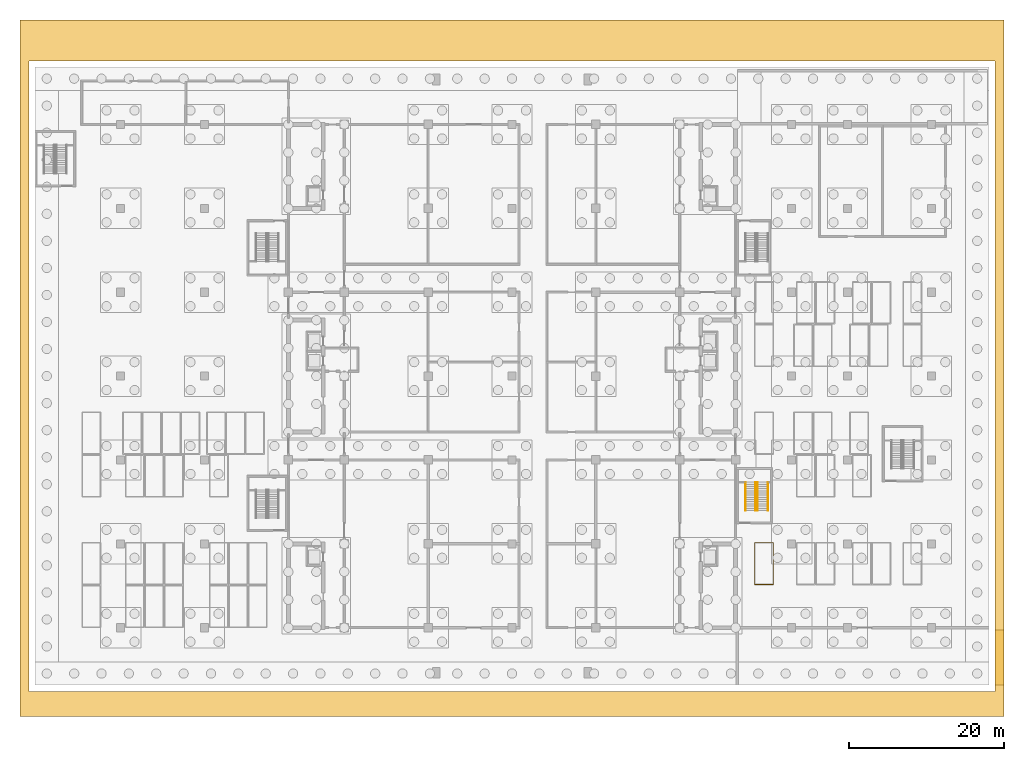
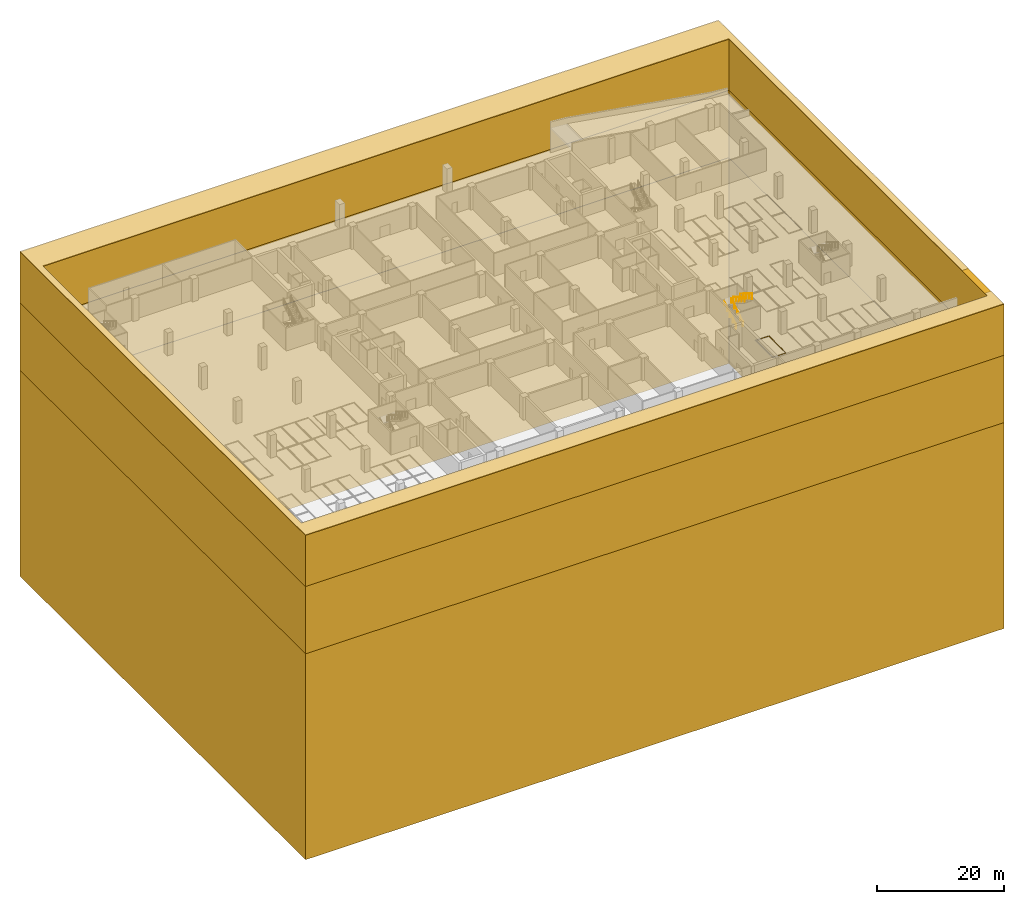
# One storey, part 14 of 18: 5 coverings, 4 railings.
"""IFC4 building model written with IfcOpenShell, lengths in metres."""

from ifc_helpers import new_model, si_unit, direction, frame, origin, origin_2d, place, context, subcontext, project, spatial, polyline, circle, outline, extrude, material, layer, layer_set, type_object, element, save


model = new_model("IFC4")

# Units and contexts
model_context = context("Model", 3, precision=1e-05, world=origin(), true_north=direction((0.0, 1.0)))
body_context = subcontext(model_context, "Body", "Model", "MODEL_VIEW")
ifc_project = project(units=[si_unit("LENGTHUNIT", "METRE"), si_unit("AREAUNIT", "SQUARE_METRE"), si_unit("VOLUMEUNIT", "CUBIC_METRE"), si_unit("PLANEANGLEUNIT", "RADIAN"), si_unit("MASSUNIT", "GRAM", prefix="KILO")], contexts=[model_context])

# Site, building, storey
site_placement = place(None, origin())
site = spatial("IfcSite", under=ifc_project, at=site_placement, CompositionType="ELEMENT")
building_placement = place(site_placement, origin())
building = spatial("IfcBuilding", under=site, at=building_placement, Name="Basin Gate Institute", CompositionType="ELEMENT")
storey_placement = place(building_placement, frame((0.0, 0.0, -9.60009765625)))
storey = spatial("IfcBuildingStorey", under=building, at=storey_placement, Name="B2", CompositionType="ELEMENT", Elevation=-9.60009765625)

# Coverings
ifc_material_1 = material(Name="Road marking paint, white")
ifc_layer = layer(ifc_material_1, 0.010009765625)
ifc_layer_set = layer_set([ifc_layer], Name="Parking bay marking PM1")
covering_type_1 = type_object("IfcCoveringType", Name="Parking bay marking PM1", PredefinedType="FLOORING", material=ifc_layer_set)
covering_1_placement = place(storey_placement, origin())
element("IfcCovering", 1, at=covering_1_placement, inside=storey, type_object=covering_type_1, material=ifc_layer_set, Name="Parking bay marking B2-03 28", PredefinedType="FLOORING", context=body_context, shape_type="SweptSolid", body=[
    extrude(outline(polyline([(121.219970703125, 40.6201171875), (123.679931640625, 40.6201171875), (123.679931640625, 46.080078125), (121.219970703125, 46.080078125), (121.219970703125, 40.6201171875)]), holes=[polyline([(121.320068359375, 40.719970703125), (123.580078125, 40.719970703125), (123.580078125, 45.97998046875), (121.320068359375, 45.97998046875), (121.320068359375, 40.719970703125)])]), origin(), (0.0, 0.0, 1.0), 0.010009765625),
])
ifc_material_2 = material(Name="Natural soil (Taipei basin silty clay and sand)")
covering_type_2 = type_object("IfcCoveringType", Name="Site ground (natural soil) NS1", PredefinedType="USERDEFINED", material=ifc_material_2)
covering_2_placement = place(storey_placement, frame((0.0, 0.0, -52.89990234375)))
element("IfcCovering", 2, at=covering_2_placement, inside=storey, type_object=covering_type_2, material=ifc_material_2, Name="Site ground (natural soil) course 1", ObjectType="SITE GROUND", PredefinedType="USERDEFINED", context=body_context, shape_type="SweptSolid", body=[
    extrude(outline(polyline([(26.64990234375, 23.64990234375), (26.64990234375, 113.35009765625), (153.35009765625, 113.35009765625), (153.35009765625, 23.64990234375), (26.64990234375, 23.64990234375)]), holes=[polyline([(152.199951171875, 108.10009765625), (27.800048828125, 108.10009765625), (27.800048828125, 26.89990234375), (152.199951171875, 26.89990234375), (152.199951171875, 108.10009765625)])]), origin(), (0.0, 0.0, 1.0), 39.5),
])
covering_3_placement = place(storey_placement, frame((0.0, 0.0, -13.39990234375)))
element("IfcCovering", 3, at=covering_3_placement, inside=storey, type_object=covering_type_2, material=ifc_material_2, Name="Site ground (natural soil) course 2", ObjectType="SITE GROUND", PredefinedType="USERDEFINED", context=body_context, shape_type="SweptSolid", body=[
    extrude(outline(polyline([(26.64990234375, 23.64990234375), (26.64990234375, 113.35009765625), (153.35009765625, 113.35009765625), (153.35009765625, 23.64990234375), (26.64990234375, 23.64990234375)]), holes=[polyline([(152.199951171875, 108.10009765625), (27.800048828125, 108.10009765625), (27.800048828125, 26.89990234375), (152.199951171875, 26.89990234375), (152.199951171875, 108.10009765625)])]), origin(), (0.0, 0.0, 1.0), 12.89990234375),
])
covering_4_placement = place(storey_placement, frame((0.0, 0.0, -0.5)))
element("IfcCovering", 4, at=covering_4_placement, inside=storey, type_object=covering_type_2, material=ifc_material_2, Name="Site ground (natural soil) course 3", ObjectType="SITE GROUND", PredefinedType="USERDEFINED", context=body_context, shape_type="SweptSolid", body=[
    extrude(outline(polyline([(26.64990234375, 23.64990234375), (26.64990234375, 113.35009765625), (153.35009765625, 113.35009765625), (153.35009765625, 23.64990234375), (26.64990234375, 23.64990234375)]), holes=[polyline([(152.199951171875, 108.10009765625), (27.800048828125, 108.10009765625), (27.800048828125, 26.89990234375), (152.199951171875, 26.89990234375), (152.199951171875, 108.10009765625)])]), origin(), (0.0, 0.0, 1.0), 9.800048828125),
])
covering_5_placement = place(storey_placement, frame((0.0, 0.0, 9.300048828125)))
element("IfcCovering", 5, at=covering_5_placement, inside=storey, type_object=covering_type_2, material=ifc_material_2, Name="Site ground (natural soil) course 4", ObjectType="SITE GROUND", PredefinedType="USERDEFINED", context=body_context, shape_type="SweptSolid", body=[
    extrude(outline(polyline([(26.64990234375, 113.35009765625), (153.35009765625, 113.35009765625), (153.35009765625, 34.800048828125), (152.199951171875, 34.800048828125), (152.199951171875, 108.10009765625), (27.800048828125, 108.10009765625), (27.800048828125, 26.89990234375), (152.199951171875, 26.89990234375), (152.199951171875, 27.699951171875), (153.35009765625, 27.699951171875), (153.35009765625, 23.64990234375), (26.64990234375, 23.64990234375), (26.64990234375, 113.35009765625)])), origin(), (0.0, 0.0, 1.0), 0.10009765625),
])

# Railings
ifc_material_3 = material(Name="Stainless steel", Category="steel")
railing_type_1 = type_object("IfcRailingType", Name="Stair guard GR1", PredefinedType="GUARDRAIL", material=ifc_material_3)
railing_1_placement = place(storey_placement, frame((122.949951171875, 53.840087890625, 2.571533203125)))
element("IfcRailing", 6, at=railing_1_placement, inside=storey, type_object=railing_type_1, material=ifc_material_3, Name="Stair guard GR1 BS3 GD1", PredefinedType="GUARDRAIL", context=body_context, shape_type="SweptSolid", body=[
    extrude(circle(Radius=0.02392578125, at=origin_2d()), frame((0.0, 0.0, 1.076171875), z_axis=(0.0, -0.852865859571, 0.52213008492), x_axis=(1.0, 0.0, 0.0)), (0.0, 0.0, 1.0), 4.26806640625),
    extrude(circle(Radius=0.02099609375, at=origin_2d()), origin(), (0.0, 0.0, 1.0), 1.052001953125),
    extrude(circle(Radius=0.02099609375, at=origin_2d()), frame((0.0, -0.91015625, 0.55712890625)), (0.0, 0.0, 1.0), 1.052001953125),
    extrude(circle(Radius=0.02099609375, at=origin_2d()), frame((0.0, -1.820068359375, 1.1142578125)), (0.0, 0.0, 1.0), 1.052001953125),
    extrude(circle(Radius=0.02099609375, at=origin_2d()), frame((0.0, -2.72998046875, 1.67138671875)), (0.0, 0.0, 1.0), 1.052001953125),
    extrude(circle(Radius=0.02099609375, at=origin_2d()), frame((0.0, -3.64013671875, 2.228515625)), (0.0, 0.0, 1.0), 1.052001953125),
])
ifc_material_4 = material(Name="Stainless steel", Category="steel")
railing_type_2 = type_object("IfcRailingType", Name="Stair handrail HR1", PredefinedType="HANDRAIL", material=ifc_material_4)
for number, where, name in (
    (7, (120.050048828125, 50.199951171875, 0.171630859375), "Stair handrail HR1 BS3 HR1"),
    (8, (121.35009765625, 50.199951171875, 0.171630859375), "Stair handrail HR1 BS3 HR2"),
):
    element("IfcRailing", number, at=place(storey_placement, frame(where)), inside=storey, type_object=railing_type_2, material=ifc_material_4, Name=name, PredefinedType="HANDRAIL", context=body_context, shape_type="SweptSolid", body=[
        extrude(circle(Radius=0.02392578125, at=origin_2d()), frame((0.0, 0.0, 0.89599609375), z_axis=(0.0, 0.852865859571, 0.52213008492), x_axis=(-1.0, 0.0, 0.0)), (0.0, 0.0, 1.0), 4.26806640625),
        extrude(circle(Radius=0.02099609375, at=origin_2d()), origin(), (0.0, 0.0, 1.0), 0.871826171875),
        extrude(circle(Radius=0.02099609375, at=origin_2d()), frame((0.0, 0.91015625, 0.55712890625)), (0.0, 0.0, 1.0), 0.871826171875),
        extrude(circle(Radius=0.02099609375, at=origin_2d()), frame((0.0, 1.820068359375, 1.1142578125)), (0.0, 0.0, 1.0), 0.871826171875),
        extrude(circle(Radius=0.02099609375, at=origin_2d()), frame((0.0, 2.72998046875, 1.67138671875)), (0.0, 0.0, 1.0), 0.871826171875),
        extrude(circle(Radius=0.02099609375, at=origin_2d()), frame((0.0, 3.64013671875, 2.228515625)), (0.0, 0.0, 1.0), 0.871826171875),
    ])
railing_2_placement = place(storey_placement, frame((121.64990234375, 53.840087890625, 2.571533203125)))
element("IfcRailing", 9, at=railing_2_placement, inside=storey, type_object=railing_type_2, material=ifc_material_4, Name="Stair handrail HR1 BS3 HR3", PredefinedType="HANDRAIL", context=body_context, shape_type="SweptSolid", body=[
    extrude(circle(Radius=0.02392578125, at=origin_2d()), frame((0.0, 0.0, 0.89599609375), z_axis=(0.0, -0.852865859571, 0.52213008492), x_axis=(1.0, 0.0, 0.0)), (0.0, 0.0, 1.0), 4.26806640625),
    extrude(circle(Radius=0.02099609375, at=origin_2d()), origin(), (0.0, 0.0, 1.0), 0.871826171875),
    extrude(circle(Radius=0.02099609375, at=origin_2d()), frame((0.0, -0.91015625, 0.55712890625)), (0.0, 0.0, 1.0), 0.871826171875),
    extrude(circle(Radius=0.02099609375, at=origin_2d()), frame((0.0, -1.820068359375, 1.1142578125)), (0.0, 0.0, 1.0), 0.871826171875),
    extrude(circle(Radius=0.02099609375, at=origin_2d()), frame((0.0, -2.72998046875, 1.67138671875)), (0.0, 0.0, 1.0), 0.871826171875),
    extrude(circle(Radius=0.02099609375, at=origin_2d()), frame((0.0, -3.64013671875, 2.228515625)), (0.0, 0.0, 1.0), 0.871826171875),
])

save(model, "model.ifc")
